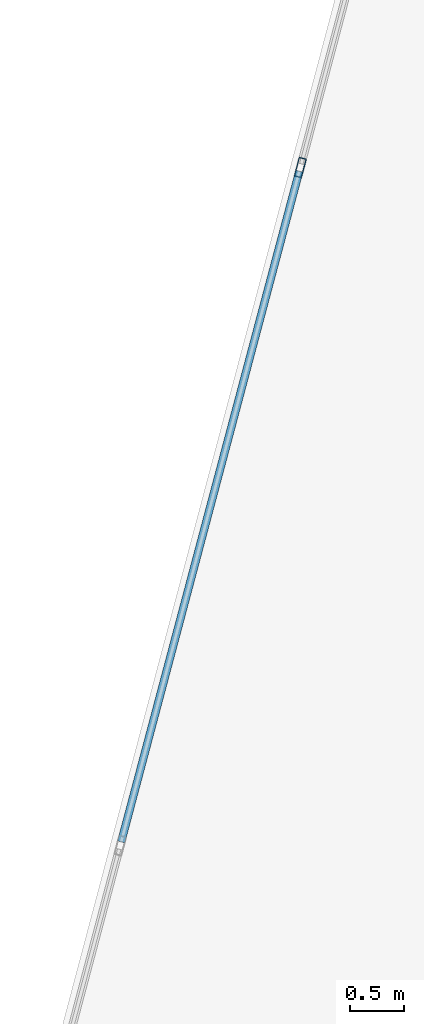
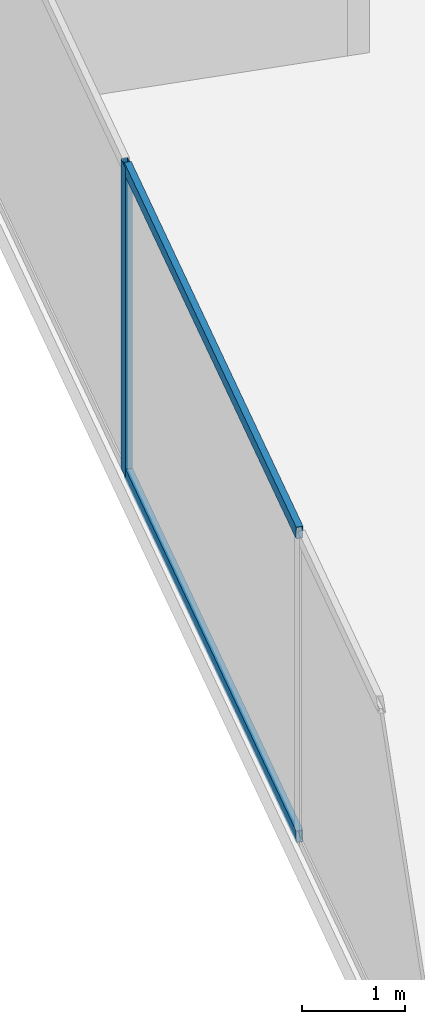
# One storey, part 15 of 27: 3 members, 1 element without a shape of its own.
"""IFC4 building model written with IfcOpenShell, lengths in metres."""

from ifc_helpers import new_model, si_unit, direction, frame, origin, origin_2d, place, context, subcontext, project, spatial, hollow_rectangle, extrude, source, transform, mapped, material, material_profile, profile_set, type_object, type_shapes, element, aggregate, save


model = new_model("IFC4")

# Units and contexts
model_context = context("Model", 3, precision=1e-05, world=origin(), true_north=direction((0.0, 1.0)))
body_context = subcontext(model_context, "Body", "Model", "MODEL_VIEW")
ifc_project = project(units=[si_unit("LENGTHUNIT", "METRE"), si_unit("AREAUNIT", "SQUARE_METRE"), si_unit("VOLUMEUNIT", "CUBIC_METRE"), si_unit("PLANEANGLEUNIT", "RADIAN"), si_unit("MASSUNIT", "GRAM", prefix="KILO")], contexts=[model_context])

# Site, building, storey
site_placement = place(None, origin())
site = spatial("IfcSite", under=ifc_project, at=site_placement, CompositionType="ELEMENT")
building_placement = place(site_placement, origin())
building = spatial("IfcBuilding", under=site, at=building_placement, Name="Krantzveldt Concourse Tower", CompositionType="ELEMENT")
storey_placement = place(building_placement, frame((0.0, 0.0, 97.949951171875)))
storey = spatial("IfcBuildingStorey", under=building, at=storey_placement, Name="L23", CompositionType="ELEMENT", Elevation=97.949951171875)

# Curtain wall, members
ifc_material = material(Name="Anodised aluminium 6063-T6", Category="aluminium")
curtain_wall_type = type_object("IfcCurtainWallType", Name="CW2", PredefinedType="USERDEFINED", material=ifc_material)
curtain_wall_placement = place(storey_placement, origin())
curtain_wall = element("IfcCurtainWall", 1, at=curtain_wall_placement, inside=storey, type_object=curtain_wall_type, Name="CW-L23-F01", ObjectType="UNITISED CURTAIN WALL", PredefinedType="USERDEFINED")
ifc_material_profile_1 = material_profile(ifc_material, hollow_rectangle(XDim=0.070068359375, YDim=0.179931640625, WallThickness=0.0048828125, at=origin_2d()), Name="Anodised aluminium 6063-T6", Category="aluminium")
ifc_profile_set_1 = profile_set([ifc_material_profile_1], Name="Anodised aluminium 6063-T6 - ALU-MULL 180x70x5")
member_type_1 = type_object("IfcMemberType", Name="CW-MUL-180", PredefinedType="MULLION", material=ifc_profile_set_1)
shared_shape_1 = source(origin(), body_context, "Body", "SweptSolid", [
    extrude(hollow_rectangle(XDim=0.070068359375, YDim=0.179931640625, WallThickness=0.0048828125, at=origin_2d()), origin(), (0.0, 0.0, 1.0), 3.670166015625),
])
type_shapes(member_type_1, [shared_shape_1])
member_1_placement = place(storey_placement, frame((16.791259765625, 45.183837890625, 0.0), z_axis=(0.0, 0.0, 1.0), x_axis=(0.966488186373, -0.256711093648, 0.0)))
member_1 = element("IfcMember", 2, at=member_1_placement, type_object=member_type_1, Name="CW-Z12 mullion 2", PredefinedType="MULLION", context=body_context, shape_type="MappedRepresentation", body=[
    mapped(shared_shape_1, transform((0.0, 0.0, 0.0), x_axis=(1.0, 0.0, 0.0), y_axis=(0.0, 1.0, 0.0), z_axis=(0.0, 0.0, 1.0), scale=1.0)),
])
ifc_material_profile_2 = material_profile(ifc_material, hollow_rectangle(XDim=0.070068359375, YDim=0.139892578125, WallThickness=0.0048828125, at=origin_2d()), Name="Anodised aluminium 6063-T6", Category="aluminium")
ifc_profile_set_2 = profile_set([ifc_material_profile_2], Name="Anodised aluminium 6063-T6 - ALU-TRAN 140x70x5")
member_type_2 = type_object("IfcMemberType", Name="CW-TRN-150", PredefinedType="USERDEFINED", material=ifc_profile_set_2)
shared_shape_2 = source(origin(), body_context, "Body", "SweptSolid", [
    extrude(hollow_rectangle(XDim=0.070068359375, YDim=0.139892578125, WallThickness=0.0048828125, at=origin_2d()), origin(), (0.0, 0.0, 1.0), 6.396728515625),
])
type_shapes(member_type_2, [shared_shape_2])
member_2_placement = place(storey_placement, frame((16.7822265625, 45.150146484375, 0.03515625), z_axis=(-0.256707571528, -0.966489121884, 0.0), x_axis=(0.966489121884, -0.256707571528, 0.0)))
member_2 = element("IfcMember", 3, at=member_2_placement, type_object=member_type_2, Name="CW-Z12 transom 2.1", ObjectType="TRANSOM", PredefinedType="USERDEFINED", context=body_context, shape_type="MappedRepresentation", body=[
    mapped(shared_shape_2, transform((0.0, 0.0, 0.0), x_axis=(1.0, 0.0, 0.0), y_axis=(0.0, 1.0, 0.0), z_axis=(0.0, 0.0, 1.0), scale=1.0)),
])
member_3_placement = place(storey_placement, frame((16.7822265625, 45.150146484375, 3.635009765625), z_axis=(-0.256707571528, -0.966489121884, 0.0), x_axis=(0.966489121884, -0.256707571528, 0.0)))
member_3 = element("IfcMember", 4, at=member_3_placement, type_object=member_type_2, Name="CW-Z12 transom 2.2", ObjectType="TRANSOM", PredefinedType="USERDEFINED", context=body_context, shape_type="MappedRepresentation", body=[
    mapped(shared_shape_2, transform((0.0, 0.0, 0.0), x_axis=(1.0, 0.0, 0.0), y_axis=(0.0, 1.0, 0.0), z_axis=(0.0, 0.0, 1.0), scale=1.0)),
])
aggregate(curtain_wall, [member_1, member_2, member_3])

save(model, "model.ifc")
